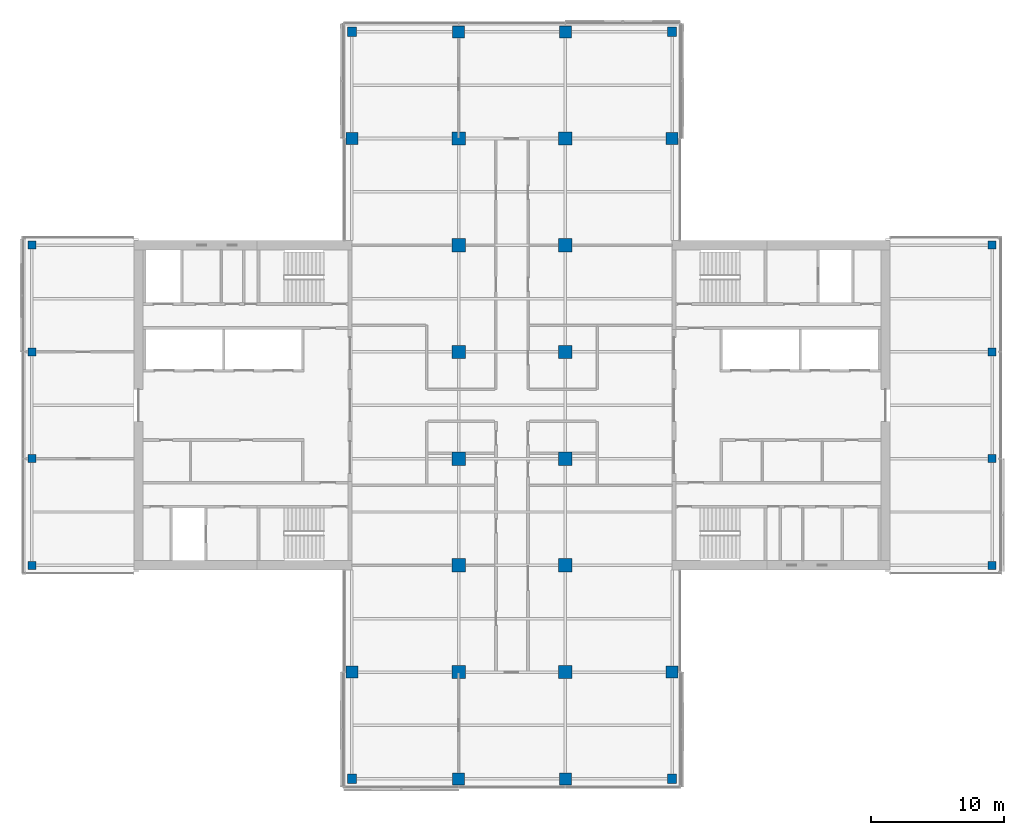
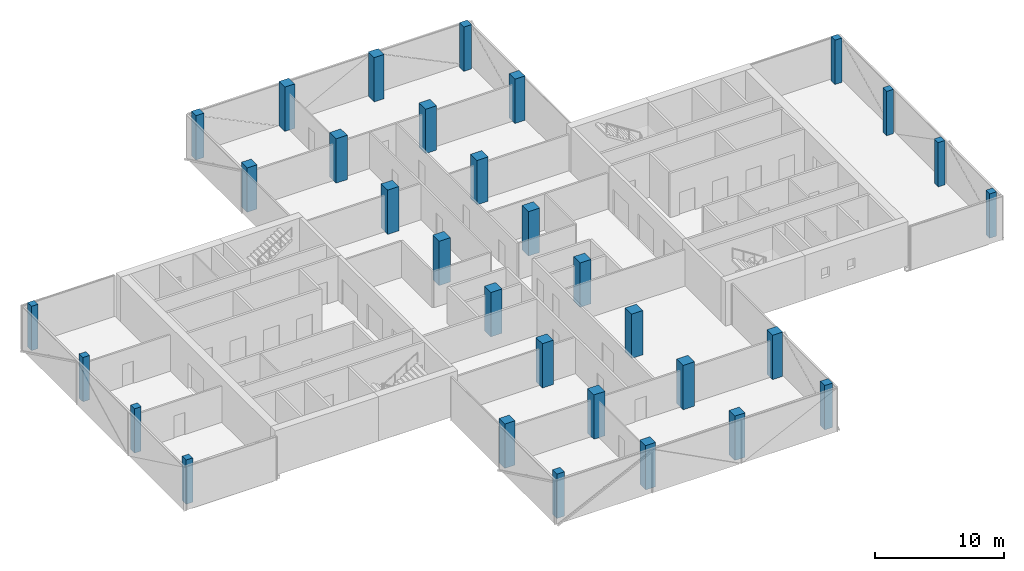
# One storey, part 1 of 22: 32 columns.
"""IFC4 building model written with IfcOpenShell, lengths in metres."""

from ifc_helpers import new_model, si_unit, direction, frame, origin, origin_2d, place, context, subcontext, project, spatial, rectangle, extrude, material, material_profile, profile_set, type_object, element, save


model = new_model("IFC4")

# Units and contexts
model_context = context("Model", 3, precision=1e-05, world=origin(), true_north=direction((0.0, 1.0)))
body_context = subcontext(model_context, "Body", "Model", "MODEL_VIEW")
ifc_project = project(units=[si_unit("LENGTHUNIT", "METRE"), si_unit("AREAUNIT", "SQUARE_METRE"), si_unit("VOLUMEUNIT", "CUBIC_METRE"), si_unit("PLANEANGLEUNIT", "RADIAN"), si_unit("MASSUNIT", "GRAM", prefix="KILO")], contexts=[model_context])

# Site, building, storey
site_placement = place(None, origin())
site = spatial("IfcSite", under=ifc_project, at=site_placement, CompositionType="ELEMENT")
building_placement = place(site_placement, origin())
building = spatial("IfcBuilding", under=site, at=building_placement, Name="Crosswind Convention Tower", CompositionType="ELEMENT")
storey_placement = place(building_placement, frame((0.0, 0.0, 163.10009765625)))
storey = spatial("IfcBuildingStorey", under=building, at=storey_placement, Name="L34", CompositionType="ELEMENT", Elevation=163.10009765625)

# Columns
ifc_material_1 = material(Name="Concrete C70/85", Category="concrete")
ifc_material_profile_1 = material_profile(ifc_material_1, rectangle(XDim=1.0, YDim=1.0, at=origin_2d()), Name="RC 1000X1000")
ifc_profile_set_1 = profile_set([ifc_material_profile_1], Name="Concrete C70/85")
column_type_1 = type_object("IfcColumnType", Name="Column RC 1000X1000", PredefinedType="COLUMN", material=ifc_profile_set_1)
for number, where, z_axis, x_axis, name in (
    (1, (121.0, 80.0, 0.0), (0.0, 0.0, 1.0), (1.0, 0.0, 0.0), "C12 L34 6/D"),
    (2, (121.0, 88.0, 0.0), (0.0, 0.0, 1.0), (1.0, 0.0, 0.0), "C12 L34 6/E"),
    (3, (121.0, 96.0, 0.0), (0.0, 0.0, 1.0), (1.0, 0.0, 0.0), "C12 L34 6/F"),
    (4, (121.0, 104.0, 0.0), (0.0, 0.0, 1.0), (1.0, 0.0, 0.0), "C12 L34 6/G"),
    (5, (121.0, 112.0, 0.0), (0.0, 0.0, 1.0), (1.0, 0.0, 0.0), "C12 L34 6/H"),
    (6, (121.0, 120.0, 0.0), (0.0, 0.0, 1.0), (1.0, 0.0, 0.0), "C12 L34 6/I"),
    (7, (129.0, 80.0, 0.0), (0.0, 0.0, 1.0), (1.0, 0.0, 0.0), "C12 L34 7/D"),
    (8, (129.0, 88.0, 0.0), (0.0, 0.0, 1.0), (1.0, 0.0, 0.0), "C12 L34 7/E"),
    (9, (129.0, 96.0, 0.0), (0.0, 0.0, 1.0), (1.0, 0.0, 0.0), "C12 L34 7/F"),
    (10, (129.0, 104.0, 0.0), (0.0, 0.0, 1.0), (1.0, 0.0, 0.0), "C12 L34 7/G"),
    (11, (129.0, 112.0, 0.0), (0.0, 0.0, 1.0), (1.0, 0.0, 0.0), "C12 L34 7/H"),
    (12, (129.0, 120.0, 0.0), (0.0, 0.0, 1.0), (1.0, 0.0, 0.0), "C12 L34 7/I"),
):
    element("IfcColumn", number, at=place(storey_placement, frame(where, z_axis=z_axis, x_axis=x_axis)), inside=storey, type_object=column_type_1, Name=name, PredefinedType="COLUMN", context=body_context, shape_type="SweptSolid", body=[
        extrude(rectangle(XDim=1.0, YDim=1.0, at=origin_2d()), origin(), (0.0, 0.0, 1.0), 4.199951171875),
    ])
ifc_material_2 = material(Name="Concrete C60/75", Category="concrete")
ifc_material_profile_2 = material_profile(ifc_material_2, rectangle(XDim=0.60009765625, YDim=0.60009765625, at=origin_2d()), Name="RC 600X600")
ifc_profile_set_2 = profile_set([ifc_material_profile_2], Name="Concrete C60/75")
column_type_2 = type_object("IfcColumnType", Name="Column RC 600X600", PredefinedType="COLUMN", material=ifc_profile_set_2)
for number, where, z_axis, x_axis, name in (
    (13, (89.0, 88.0, 0.0), (0.0, 0.0, 1.0), (1.0, 0.0, 0.0), "C16 L34 2/E"),
    (14, (89.0, 96.0, 0.0), (0.0, 0.0, 1.0), (1.0, 0.0, 0.0), "C16 L34 2/F"),
    (15, (89.0, 104.0, 0.0), (0.0, 0.0, 1.0), (1.0, 0.0, 0.0), "C16 L34 2/G"),
    (16, (89.0, 112.0, 0.0), (0.0, 0.0, 1.0), (1.0, 0.0, 0.0), "C16 L34 2/H"),
    (17, (161.0, 88.0, 0.0), (0.0, 0.0, 1.0), (1.0, 0.0, 0.0), "C16 L34 11/E"),
    (18, (161.0, 96.0, 0.0), (0.0, 0.0, 1.0), (1.0, 0.0, 0.0), "C16 L34 11/F"),
    (19, (161.0, 104.0, 0.0), (0.0, 0.0, 1.0), (1.0, 0.0, 0.0), "C16 L34 11/G"),
    (20, (161.0, 112.0, 0.0), (0.0, 0.0, 1.0), (1.0, 0.0, 0.0), "C16 L34 11/H"),
):
    element("IfcColumn", number, at=place(storey_placement, frame(where, z_axis=z_axis, x_axis=x_axis)), inside=storey, type_object=column_type_2, Name=name, PredefinedType="COLUMN", context=body_context, shape_type="SweptSolid", body=[
        extrude(rectangle(XDim=0.60009765625, YDim=0.60009765625, at=origin_2d()), origin(), (0.0, 0.0, 1.0), 4.199951171875),
    ])
ifc_material_profile_3 = material_profile(ifc_material_2, rectangle(XDim=0.699951171875, YDim=0.699951171875, at=origin_2d()), Name="RC 700X700")
ifc_profile_set_3 = profile_set([ifc_material_profile_3], Name="Concrete C60/75")
column_type_3 = type_object("IfcColumnType", Name="Column RC 700X700", PredefinedType="COLUMN", material=ifc_profile_set_3)
for number, where, z_axis, x_axis, name in (
    (21, (113.0, 72.0, 0.0), (0.0, 0.0, 1.0), (1.0, 0.0, 0.0), "C15 L34 5/C"),
    (22, (113.0, 128.0, 0.0), (0.0, 0.0, 1.0), (1.0, 0.0, 0.0), "C15 L34 5/J"),
    (23, (137.0, 72.0, 0.0), (0.0, 0.0, 1.0), (1.0, 0.0, 0.0), "C15 L34 8/C"),
    (24, (137.0, 128.0, 0.0), (0.0, 0.0, 1.0), (1.0, 0.0, 0.0), "C15 L34 8/J"),
):
    element("IfcColumn", number, at=place(storey_placement, frame(where, z_axis=z_axis, x_axis=x_axis)), inside=storey, type_object=column_type_3, Name=name, PredefinedType="COLUMN", context=body_context, shape_type="SweptSolid", body=[
        extrude(rectangle(XDim=0.699951171875, YDim=0.699951171875, at=origin_2d()), origin(), (0.0, 0.0, 1.0), 4.199951171875),
    ])
ifc_material_profile_4 = material_profile(ifc_material_2, rectangle(XDim=0.89990234375, YDim=0.89990234375, at=origin_2d()), Name="RC 900X900")
ifc_profile_set_4 = profile_set([ifc_material_profile_4], Name="Concrete C60/75")
column_type_4 = type_object("IfcColumnType", Name="Column RC 900X900", PredefinedType="COLUMN", material=ifc_profile_set_4)
for number, where, z_axis, x_axis, name in (
    (25, (113.0, 80.0, 0.0), (0.0, 0.0, 1.0), (1.0, 0.0, 0.0), "C13 L34 5/D"),
    (26, (113.0, 120.0, 0.0), (0.0, 0.0, 1.0), (1.0, 0.0, 0.0), "C13 L34 5/I"),
    (27, (121.0, 72.0, 0.0), (0.0, 0.0, 1.0), (1.0, 0.0, 0.0), "C13 L34 6/C"),
    (28, (121.0, 128.0, 0.0), (0.0, 0.0, 1.0), (1.0, 0.0, 0.0), "C13 L34 6/J"),
    (29, (129.0, 72.0, 0.0), (0.0, 0.0, 1.0), (1.0, 0.0, 0.0), "C13 L34 7/C"),
    (30, (129.0, 128.0, 0.0), (0.0, 0.0, 1.0), (1.0, 0.0, 0.0), "C13 L34 7/J"),
    (31, (137.0, 80.0, 0.0), (0.0, 0.0, 1.0), (1.0, 0.0, 0.0), "C13 L34 8/D"),
    (32, (137.0, 120.0, 0.0), (0.0, 0.0, 1.0), (1.0, 0.0, 0.0), "C13 L34 8/I"),
):
    element("IfcColumn", number, at=place(storey_placement, frame(where, z_axis=z_axis, x_axis=x_axis)), inside=storey, type_object=column_type_4, Name=name, PredefinedType="COLUMN", context=body_context, shape_type="SweptSolid", body=[
        extrude(rectangle(XDim=0.89990234375, YDim=0.89990234375, at=origin_2d()), origin(), (0.0, 0.0, 1.0), 4.199951171875),
    ])

save(model, "model.ifc")
